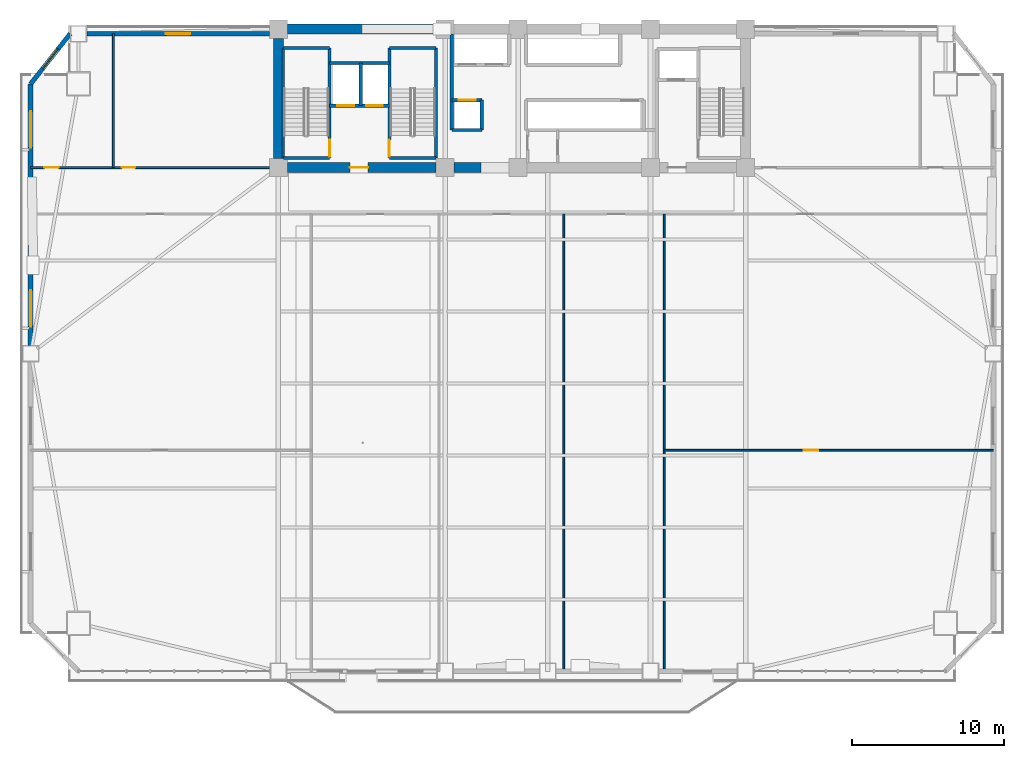
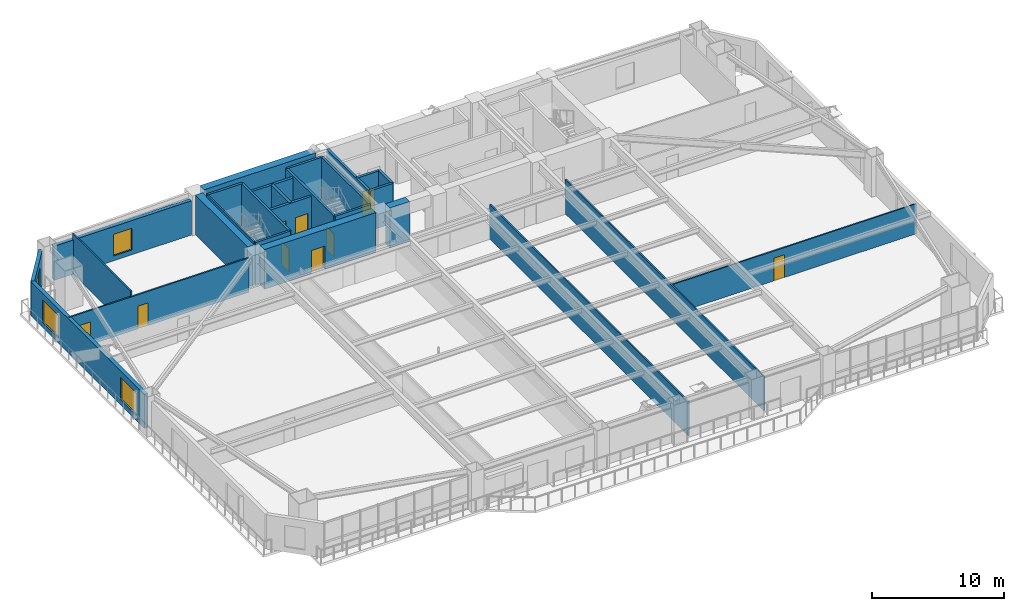
# One storey, part 9 of 17: 27 walls, 9 doors, 4 windows, 13 openings.
"""IFC4 building model written with IfcOpenShell, lengths in metres."""

from ifc_helpers import new_model, si_unit, direction, frame, frame_2d, origin, place, context, subcontext, project, spatial, rectangle, extrude, source, transform, mapped, material, layer, layer_set, type_object, element, fill, save


model = new_model("IFC4")

# Units and contexts
model_context = context("Model", 3, precision=1e-05, world=origin(), true_north=direction((0.0, 1.0)))
body_context = subcontext(model_context, "Body", "Model", "MODEL_VIEW")
ifc_project = project(units=[si_unit("LENGTHUNIT", "METRE"), si_unit("AREAUNIT", "SQUARE_METRE"), si_unit("VOLUMEUNIT", "CUBIC_METRE"), si_unit("PLANEANGLEUNIT", "RADIAN"), si_unit("MASSUNIT", "GRAM", prefix="KILO")], contexts=[model_context])

# Site, building, storey
site_placement = place(None, origin())
site = spatial("IfcSite", under=ifc_project, at=site_placement, CompositionType="ELEMENT")
building_placement = place(site_placement, origin())
building = spatial("IfcBuilding", under=site, at=building_placement, Name="Giltprow Tower", CompositionType="ELEMENT")
storey_placement = place(building_placement, frame((0.0, 0.0, 53.300048828125)))
storey = spatial("IfcBuildingStorey", under=building, at=storey_placement, Name="L13", CompositionType="ELEMENT", Elevation=53.300048828125)

# Wall, opening, window
ifc_material_1 = material(Name="Precast concrete C40", Category="concrete")
ifc_layer_1 = layer(ifc_material_1, 0.300048828125, Name="Precast concrete C40")
ifc_layer_set_1 = layer_set([ifc_layer_1], Name="Precast concrete C40")
wall_type_1 = type_object("IfcWallType", Name="EW-NOTCH-CHAMFER-300", PredefinedType="SOLIDWALL", material=ifc_layer_set_1)
wall_1_placement = place(storey_placement, frame((6.16796875, 46.25, 0.0), z_axis=(0.0, 0.0, 1.0), x_axis=(-0.618784156162, -0.785561053059, 0.0)))
wall_1 = element("IfcWall", 1, at=wall_1_placement, inside=storey, type_object=wall_type_1, Name="L13 Corner Notch Wall NW", PredefinedType="SOLIDWALL", context=body_context, shape_type="SweptSolid", body=[
    extrude(rectangle(XDim=4.198486328125, YDim=0.300048828125, at=frame_2d((2.09912109375, 0.0))), origin(), (0.0, 0.0, 1.0), 3.159912109375),
])
opening_1_placement = place(wall_1_placement, frame((1.299072265625, 0.0, 0.449951171875)))
opening_1 = element("IfcOpeningElement", 2, at=opening_1_placement, cuts=wall_1, Name="Opening WN17", PredefinedType="OPENING", context=body_context, shape_type="SweptSolid", body=[
    extrude(rectangle(XDim=1.60009765625, YDim=2.0, at=frame_2d((0.800048828125, 1.0))), frame((0.0, 0.159912109375, 0.0), z_axis=(0.0, -1.0, 0.0), x_axis=(1.0, 0.0, 0.0)), (0.0, 0.0, 1.0), 0.320068359375),
])
ifc_material_2 = material(Name="Insulated glass", Category="glass")
window_type_1 = type_object("IfcWindowType", Name="WN-COR-1600x2000", PartitioningType="SINGLE_PANEL", PredefinedType="WINDOW", material=ifc_material_2)
shared_shape_1 = source(origin(), body_context, "Body", "SweptSolid", [
    extrude(rectangle(XDim=1.60009765625, YDim=2.0, at=frame_2d((0.800048828125, 1.0))), frame((0.0, 0.030029296875, 0.0), z_axis=(0.0, -1.0, 0.0), x_axis=(1.0, 0.0, 0.0)), (0.0, 0.0, 1.0), 0.06005859375),
])
window_1_placement = place(opening_1_placement, origin())
window_1 = element("IfcWindow", 3, at=window_1_placement, inside=storey, type_object=window_type_1, Name="L13 Corner Notch Window NW", OverallHeight=2.0, OverallWidth=1.60009765625, PartitioningType="SINGLE_PANEL", PredefinedType="WINDOW", context=body_context, shape_type="MappedRepresentation", body=[
    mapped(shared_shape_1, transform((0.0, 0.0, 0.0), x_axis=(1.0, 0.0, 0.0), y_axis=(0.0, 1.0, 0.0), z_axis=(0.0, 0.0, 1.0), scale=1.0)),
])
fill(opening_1, window_1)

# Wall, openings, windows
ifc_layer_2 = layer(ifc_material_1, 0.320068359375, Name="Precast concrete C40")
ifc_layer_set_2 = layer_set([ifc_layer_2], Name="Precast concrete C40")
wall_type_2 = type_object("IfcWallType", Name="EW-TOW-STONE-320", PredefinedType="SOLIDWALL", material=ifc_layer_set_2)
wall_2_placement = place(storey_placement, frame((3.570068359375, 25.777099609375, 0.0), z_axis=(0.0, 0.0, 1.0), x_axis=(0.0, 1.0, 0.0)))
wall_2 = element("IfcWall", 4, at=wall_2_placement, inside=storey, type_object=wall_type_2, Name="L13 W Wing Masonry Wall 2", PredefinedType="SOLIDWALL", context=body_context, shape_type="SweptSolid", body=[
    extrude(rectangle(XDim=17.1748046875, YDim=0.320068359375, at=frame_2d((8.58740234375, 0.0))), origin(), (0.0, 0.0, 1.0), 3.159912109375),
])
opening_2_placement = place(wall_2_placement, frame((1.22509765625, 0.0, 0.449951171875)))
opening_2 = element("IfcOpeningElement", 5, at=opening_2_placement, cuts=wall_2, Name="Opening WN29", PredefinedType="OPENING", context=body_context, shape_type="SweptSolid", body=[
    extrude(rectangle(XDim=2.39990234375, YDim=2.10009765625, at=frame_2d((1.199951171875, 1.050048828125))), frame((0.0, 0.169921875, 0.0), z_axis=(0.0, -1.0, 0.0), x_axis=(1.0, 0.0, 0.0)), (0.0, 0.0, 1.0), 0.340087890625),
])
opening_3_placement = place(wall_2_placement, frame((12.98095703125, 0.0, 0.449951171875)))
opening_3 = element("IfcOpeningElement", 6, at=opening_3_placement, cuts=wall_2, Name="Opening WN29", PredefinedType="OPENING", context=body_context, shape_type="SweptSolid", body=[
    extrude(rectangle(XDim=2.39990234375, YDim=2.10009765625, at=frame_2d((1.199951171875, 1.050048828125))), frame((0.0, 0.169921875, 0.0), z_axis=(0.0, -1.0, 0.0), x_axis=(1.0, 0.0, 0.0)), (0.0, 0.0, 1.0), 0.340087890625),
])
window_type_2 = type_object("IfcWindowType", Name="WN-OFF-2400x2100", PartitioningType="DOUBLE_PANEL_VERTICAL", PredefinedType="WINDOW", material=ifc_material_2)
shared_shape_2 = source(origin(), body_context, "Body", "SweptSolid", [
    extrude(rectangle(XDim=2.39990234375, YDim=2.10009765625, at=frame_2d((1.199951171875, 1.050048828125))), frame((0.0, 0.030029296875, 0.0), z_axis=(0.0, -1.0, 0.0), x_axis=(1.0, 0.0, 0.0)), (0.0, 0.0, 1.0), 0.06005859375),
])
window_2_placement = place(opening_2_placement, origin())
window_2 = element("IfcWindow", 7, at=window_2_placement, inside=storey, type_object=window_type_2, Name="L13 W Wing Window 2-1", OverallHeight=2.10009765625, OverallWidth=2.39990234375, PartitioningType="SINGLE_PANEL", PredefinedType="WINDOW", context=body_context, shape_type="MappedRepresentation", body=[
    mapped(shared_shape_2, transform((0.0, 0.0, 0.0), x_axis=(1.0, 0.0, 0.0), y_axis=(0.0, 1.0, 0.0), z_axis=(0.0, 0.0, 1.0), scale=1.0)),
])
fill(opening_2, window_2)
window_3_placement = place(opening_3_placement, origin())
window_3 = element("IfcWindow", 8, at=window_3_placement, inside=storey, type_object=window_type_2, Name="L13 W Wing Window 2-2", OverallHeight=2.10009765625, OverallWidth=2.39990234375, PartitioningType="SINGLE_PANEL", PredefinedType="WINDOW", context=body_context, shape_type="MappedRepresentation", body=[
    mapped(shared_shape_2, transform((0.0, 0.0, 0.0), x_axis=(1.0, 0.0, 0.0), y_axis=(0.0, 1.0, 0.0), z_axis=(0.0, 0.0, 1.0), scale=1.0)),
])
fill(opening_3, window_3)

# Wall, opening, window
wall_3_placement = place(storey_placement, frame((7.26806640625, 46.25, 0.0), z_axis=(0.0, 0.0, 1.0), x_axis=(1.0, 0.0, 0.0)))
wall_3 = element("IfcWall", 9, at=wall_3_placement, inside=storey, type_object=wall_type_2, Name="L13 North-West Wing Wall", PredefinedType="SOLIDWALL", context=body_context, shape_type="SweptSolid", body=[
    extrude(rectangle(XDim=11.98193359375, YDim=0.320068359375, at=frame_2d((5.990966796875, 0.0))), origin(), (0.0, 0.0, 1.0), 3.159912109375),
])
opening_4_placement = place(wall_3_placement, frame((5.19091796875, 0.0, 0.449951171875)))
opening_4 = element("IfcOpeningElement", 10, at=opening_4_placement, cuts=wall_3, Name="Opening WN17", PredefinedType="OPENING", context=body_context, shape_type="SweptSolid", body=[
    extrude(rectangle(XDim=1.60009765625, YDim=2.0, at=frame_2d((0.800048828125, 1.0))), frame((0.0, 0.169921875, 0.0), z_axis=(0.0, -1.0, 0.0), x_axis=(1.0, 0.0, 0.0)), (0.0, 0.0, 1.0), 0.340087890625),
])
window_4_placement = place(opening_4_placement, origin())
window_4 = element("IfcWindow", 11, at=window_4_placement, inside=storey, type_object=window_type_1, Name="L13 North-West Window", OverallHeight=2.0, OverallWidth=1.60009765625, PartitioningType="SINGLE_PANEL", PredefinedType="WINDOW", context=body_context, shape_type="MappedRepresentation", body=[
    mapped(shared_shape_1, transform((0.0, 0.0, 0.0), x_axis=(1.0, 0.0, 0.0), y_axis=(0.0, 1.0, 0.0), z_axis=(0.0, 0.0, 1.0), scale=1.0)),
])
fill(opening_4, window_4)

# Walls
ifc_material_3 = material(Name="Gypsum stud partition", Category="gypsum")
ifc_layer_3 = layer(ifc_material_3, 0.1201171875, Name="Gypsum stud partition")
ifc_layer_set_3 = layer_set([ifc_layer_3], Name="Gypsum stud partition")
wall_type_3 = type_object("IfcWallType", Name="IW-ROOM-120", PredefinedType="PARTITIONING", material=ifc_layer_set_3)
for number, where, z_axis, x_axis, name in (
    (12, (38.60009765625, 4.35400390625, 0.0), (0.0, 0.0, 1.0), (0.0, 1.0, 0.0), "L13 Office Partition 3"),
    (13, (45.199951171875, 4.35400390625, 0.0), (0.0, 0.0, 1.0), (0.0, 1.0, 0.0), "L13 Office Partition 4"),
):
    element("IfcWall", number, at=place(storey_placement, frame(where, z_axis=z_axis, x_axis=x_axis)), inside=storey, type_object=wall_type_3, Name=name, PredefinedType="PARTITIONING", context=body_context, shape_type="SweptSolid", body=[
        extrude(rectangle(XDim=30.0458984375, YDim=0.1201171875, at=frame_2d((15.02294921875, 0.0))), origin(), (0.0, 0.0, 1.0), 3.1650390625),
    ])

# Wall, opening, door
wall_4_placement = place(storey_placement, frame((45.199951171875, 18.8798828125, 0.0), z_axis=(0.0, 0.0, 1.0), x_axis=(1.0, 0.0, 0.0)))
wall_4 = element("IfcWall", 14, at=wall_4_placement, inside=storey, type_object=wall_type_3, Name="L13 Office Mid Wall 5", PredefinedType="PARTITIONING", context=body_context, shape_type="SweptSolid", body=[
    extrude(rectangle(XDim=21.630126953125, YDim=0.1201171875, at=frame_2d((10.81494140625, 0.0))), origin(), (0.0, 0.0, 1.0), 2.764892578125),
])
opening_5_placement = place(wall_4_placement, frame((9.1630859375, 0.0, 0.0)))
opening_5 = element("IfcOpeningElement", 15, at=opening_5_placement, cuts=wall_4, Name="Opening ID11", PredefinedType="OPENING", context=body_context, shape_type="SweptSolid", body=[
    extrude(rectangle(XDim=0.949951171875, YDim=2.10009765625, at=frame_2d((0.47509765625, 1.050048828125))), frame((0.0, 0.070068359375, 0.0), z_axis=(0.0, -1.0, 0.0), x_axis=(1.0, 0.0, 0.0)), (0.0, 0.0, 1.0), 0.14013671875),
])
ifc_material_4 = material(Name="Engineered timber", Category="wood")
door_type_1 = type_object("IfcDoorType", Name="DR-ROOM-950", OperationType="SINGLE_SWING_RIGHT", PredefinedType="DOOR", material=ifc_material_4)
shared_shape_3 = source(origin(), body_context, "Body", "SweptSolid", [
    extrude(rectangle(XDim=0.949951171875, YDim=2.10009765625, at=frame_2d((0.47509765625, 1.050048828125))), frame((0.0, 0.02490234375, 0.0), z_axis=(0.0, -1.0, 0.0), x_axis=(1.0, 0.0, 0.0)), (0.0, 0.0, 1.0), 0.050048828125),
])
door_1_placement = place(opening_5_placement, origin())
door_1 = element("IfcDoor", 16, at=door_1_placement, inside=storey, type_object=door_type_1, Name="L13 Artisan Studio Shop 5 Inner Door", OperationType="SINGLE_SWING_LEFT", OverallHeight=2.10009765625, OverallWidth=0.949951171875, PredefinedType="DOOR", context=body_context, shape_type="MappedRepresentation", body=[
    mapped(shared_shape_3, transform((0.0, 0.0, 0.0), x_axis=(1.0, 0.0, 0.0), y_axis=(0.0, 1.0, 0.0), z_axis=(0.0, 0.0, 1.0), scale=1.0)),
])
fill(opening_5, door_1)

# Wall, openings, doors
ifc_material_5 = material(Name="Concrete C40", Category="concrete")
ifc_layer_4 = layer(ifc_material_5, 0.219970703125, Name="Concrete C40")
ifc_layer_set_4 = layer_set([ifc_layer_4], Name="Concrete C40")
wall_type_4 = type_object("IfcWallType", Name="IW-SHAFT-220", PredefinedType="SOLIDWALL", material=ifc_layer_set_4)
wall_5_placement = place(storey_placement, frame((23.219970703125, 41.52001953125, 0.0), z_axis=(0.0, 0.0, 1.0), x_axis=(1.0, 0.0, 0.0)))
wall_5 = element("IfcWall", 17, at=wall_5_placement, inside=storey, type_object=wall_type_4, Name="L13 FFL1 and Service Lift Front Wall", PredefinedType="SOLIDWALL", context=body_context, shape_type="SweptSolid", body=[
    extrude(rectangle(XDim=3.919921875, YDim=0.219970703125, at=frame_2d((1.9599609375, 0.0))), origin(), (0.0, 0.0, 1.0), 3.679931640625),
])
opening_6_placement = place(wall_5_placement, frame((0.5, 0.0, 0.0)))
opening_6 = element("IfcOpeningElement", 18, at=opening_6_placement, cuts=wall_5, Name="Opening LD-11", PredefinedType="OPENING", context=body_context, shape_type="SweptSolid", body=[
    extrude(rectangle(XDim=1.10009765625, YDim=2.199951171875, at=frame_2d((0.550048828125, 1.10009765625))), frame((0.0, 0.119873046875, 0.0), z_axis=(0.0, -1.0, 0.0), x_axis=(1.0, 0.0, 0.0)), (0.0, 0.0, 1.0), 0.239990234375),
])
opening_7_placement = place(wall_5_placement, frame((2.39990234375, 0.0, 0.0)))
opening_7 = element("IfcOpeningElement", 19, at=opening_7_placement, cuts=wall_5, Name="Opening LD-11", PredefinedType="OPENING", context=body_context, shape_type="SweptSolid", body=[
    extrude(rectangle(XDim=1.10009765625, YDim=2.199951171875, at=frame_2d((0.550048828125, 1.10009765625))), frame((0.0, 0.119873046875, 0.0), z_axis=(0.0, -1.0, 0.0), x_axis=(1.0, 0.0, 0.0)), (0.0, 0.0, 1.0), 0.239990234375),
])
ifc_material_6 = material(Name="Stainless steel", Category="steel")
door_type_2 = type_object("IfcDoorType", Name="DR-LIFT-LD1100", OperationType="SLIDING_TO_LEFT", PredefinedType="DOOR", material=ifc_material_6)
shared_shape_4 = source(origin(), body_context, "Body", "SweptSolid", [
    extrude(rectangle(XDim=1.10009765625, YDim=2.199951171875, at=frame_2d((0.550048828125, 1.10009765625))), frame((0.0, 0.02490234375, 0.0), z_axis=(0.0, -1.0, 0.0), x_axis=(1.0, 0.0, 0.0)), (0.0, 0.0, 1.0), 0.050048828125),
])
door_2_placement = place(opening_6_placement, origin())
door_2 = element("IfcDoor", 20, at=door_2_placement, inside=storey, type_object=door_type_2, Name="L13 FFL1 Landing Door", OperationType="SLIDING_TO_LEFT", OverallHeight=2.199951171875, OverallWidth=1.10009765625, PredefinedType="DOOR", context=body_context, shape_type="MappedRepresentation", body=[
    mapped(shared_shape_4, transform((0.0, 0.0, 0.0), x_axis=(1.0, 0.0, 0.0), y_axis=(0.0, 1.0, 0.0), z_axis=(0.0, 0.0, 1.0), scale=1.0)),
])
fill(opening_6, door_2)
door_3_placement = place(opening_7_placement, origin())
door_3 = element("IfcDoor", 21, at=door_3_placement, inside=storey, type_object=door_type_2, Name="L13 SVL1 Landing Door", OperationType="SLIDING_TO_LEFT", OverallHeight=2.199951171875, OverallWidth=1.10009765625, PredefinedType="DOOR", context=body_context, shape_type="MappedRepresentation", body=[
    mapped(shared_shape_4, transform((0.0, 0.0, 0.0), x_axis=(1.0, 0.0, 0.0), y_axis=(0.0, 1.0, 0.0), z_axis=(0.0, 0.0, 1.0), scale=1.0)),
])
fill(opening_7, door_3)

# Walls
wall_6_placement = place(storey_placement, frame((25.260009765625, 41.52001953125, 0.0), z_axis=(0.0, 0.0, 1.0), x_axis=(0.0, 1.0, 0.0)))
element("IfcWall", 22, at=wall_6_placement, inside=storey, type_object=wall_type_4, Name="L13 FFL1-SVL1 Shaft Divider", PredefinedType="SOLIDWALL", context=body_context, shape_type="SweptSolid", body=[
    extrude(rectangle(XDim=2.800048828125, YDim=0.219970703125, at=frame_2d((1.39990234375, 0.0))), origin(), (0.0, 0.0, 1.0), 3.679931640625),
])
wall_7_placement = place(storey_placement, frame((23.219970703125, 44.320068359375, 0.0), z_axis=(0.0, 0.0, 1.0), x_axis=(1.0, 0.0, 0.0)))
element("IfcWall", 23, at=wall_7_placement, inside=storey, type_object=wall_type_4, Name="L13 FFL1-SVL1 Back Shaft Wall", PredefinedType="SOLIDWALL", context=body_context, shape_type="SweptSolid", body=[
    extrude(rectangle(XDim=3.919921875, YDim=0.219970703125, at=frame_2d((1.9599609375, 0.0))), origin(), (0.0, 0.0, 1.0), 3.679931640625),
])

# Wall, opening, door
wall_8_placement = place(storey_placement, frame((31.25, 41.8798828125, 0.0), z_axis=(0.0, 0.0, 1.0), x_axis=(1.0, 0.0, 0.0)))
wall_8 = element("IfcWall", 24, at=wall_8_placement, inside=storey, type_object=wall_type_4, Name="L13 South West Lift Shaft Front Wall", PredefinedType="SOLIDWALL", context=body_context, shape_type="SweptSolid", body=[
    extrude(rectangle(XDim=1.969970703125, YDim=0.219970703125, at=frame_2d((0.98486328125, 0.0))), origin(), (0.0, 0.0, 1.0), 3.679931640625),
])
opening_8_placement = place(wall_8_placement, frame((0.4599609375, 0.0, 0.0)))
opening_8 = element("IfcOpeningElement", 25, at=opening_8_placement, cuts=wall_8, Name="Opening LD-11", PredefinedType="OPENING", context=body_context, shape_type="SweptSolid", body=[
    extrude(rectangle(XDim=1.10009765625, YDim=2.199951171875, at=frame_2d((0.550048828125, 1.10009765625))), frame((0.0, 0.119873046875, 0.0), z_axis=(0.0, -1.0, 0.0), x_axis=(1.0, 0.0, 0.0)), (0.0, 0.0, 1.0), 0.239990234375),
])
door_4_placement = place(opening_8_placement, origin())
door_4 = element("IfcDoor", 26, at=door_4_placement, inside=storey, type_object=door_type_2, Name="L13 PL-L3 Landing Door", OperationType="SLIDING_TO_LEFT", OverallHeight=2.199951171875, OverallWidth=1.10009765625, PredefinedType="DOOR", context=body_context, shape_type="MappedRepresentation", body=[
    mapped(shared_shape_4, transform((0.0, 0.0, 0.0), x_axis=(1.0, 0.0, 0.0), y_axis=(0.0, 1.0, 0.0), z_axis=(0.0, 0.0, 1.0), scale=1.0)),
])
fill(opening_8, door_4)

# Walls
wall_9_placement = place(storey_placement, frame((31.25, 39.919921875, 0.0), z_axis=(0.0, 0.0, 1.0), x_axis=(1.0, 0.0, 0.0)))
element("IfcWall", 27, at=wall_9_placement, inside=storey, type_object=wall_type_4, Name="L13 Low-Rise South Lift Back Wall", PredefinedType="SOLIDWALL", context=body_context, shape_type="SweptSolid", body=[
    extrude(rectangle(XDim=1.969970703125, YDim=0.219970703125, at=frame_2d((0.98486328125, 0.0))), origin(), (0.0, 0.0, 1.0), 3.679931640625),
])
wall_10_placement = place(storey_placement, frame((33.219970703125, 39.919921875, 0.0), z_axis=(0.0, 0.0, 1.0), x_axis=(0.0, 1.0, 0.0)))
element("IfcWall", 28, at=wall_10_placement, inside=storey, type_object=wall_type_4, Name="L13 Low-Rise South Lift East Closure", PredefinedType="SOLIDWALL", context=body_context, shape_type="SweptSolid", body=[
    extrude(rectangle(XDim=1.9599609375, YDim=0.219970703125, at=frame_2d((0.97998046875, 0.0))), origin(), (0.0, 0.0, 1.0), 3.679931640625),
])
wall_11_placement = place(storey_placement, frame((31.25, 39.919921875, 0.0), z_axis=(0.0, 0.0, 1.0), x_axis=(0.0, 1.0, 0.0)))
element("IfcWall", 29, at=wall_11_placement, inside=storey, type_object=wall_type_4, Name="L13 Lift Bank West Closure", PredefinedType="SOLIDWALL", context=body_context, shape_type="SweptSolid", body=[
    extrude(rectangle(XDim=6.3251953125, YDim=0.219970703125, at=frame_2d((3.16259765625, 0.0))), origin(), (0.0, 0.0, 1.0), 3.679931640625),
])
ifc_material_7 = material(Name="Concrete C45", Category="concrete")
ifc_layer_5 = layer(ifc_material_7, 0.139892578125, Name="Concrete C45")
ifc_layer_set_5 = layer_set([ifc_layer_5], Name="Concrete C45")
wall_type_5 = type_object("IfcWallType", Name="IW-STAIR-140", PredefinedType="SOLIDWALL", material=ifc_layer_set_5)
wall_12_placement = place(storey_placement, frame((20.169921875, 38.070068359375, 0.0), z_axis=(0.0, 0.0, 1.0), x_axis=(0.0, 1.0, 0.0)))
element("IfcWall", 30, at=wall_12_placement, inside=storey, type_object=wall_type_5, Name="L13 Stair ST-1 West Bearing Wall", PredefinedType="SOLIDWALL", context=body_context, shape_type="SweptSolid", body=[
    extrude(rectangle(XDim=7.25, YDim=0.139892578125, at=frame_2d((3.625, 0.0))), origin(), (0.0, 0.0, 1.0), 3.89990234375),
])

# Wall, opening, door
ifc_layer_6 = layer(ifc_material_5, 0.199951171875, Name="Concrete C40")
ifc_layer_set_6 = layer_set([ifc_layer_6], Name="Concrete C40")
wall_type_6 = type_object("IfcWallType", Name="IW-STAIR-200", PredefinedType="SOLIDWALL", material=ifc_layer_set_6)
wall_13_placement = place(storey_placement, frame((23.219970703125, 38.070068359375, 0.0), z_axis=(0.0, 0.0, 1.0), x_axis=(0.0, 1.0, 0.0)))
wall_13 = element("IfcWall", 31, at=wall_13_placement, inside=storey, type_object=wall_type_6, Name="L13 Stair ST-1 East Bearing Wall", PredefinedType="SOLIDWALL", context=body_context, shape_type="SweptSolid", body=[
    extrude(rectangle(XDim=7.25, YDim=0.199951171875, at=frame_2d((3.625, 0.0))), origin(), (0.0, 0.0, 1.0), 3.89990234375),
])
opening_9_placement = place(wall_13_placement, frame((0.110107421875, 0.0, 0.0)))
opening_9 = element("IfcOpeningElement", 32, at=opening_9_placement, cuts=wall_13, Name="Opening ID33", PredefinedType="OPENING", context=body_context, shape_type="SweptSolid", body=[
    extrude(rectangle(XDim=1.10009765625, YDim=2.14990234375, at=frame_2d((0.550048828125, 1.074951171875))), frame((0.0, 0.10986328125, 0.0), z_axis=(0.0, -1.0, 0.0), x_axis=(1.0, 0.0, 0.0)), (0.0, 0.0, 1.0), 0.219970703125),
])
ifc_material_8 = material(Name="Steel fire leaf", Category="steel")
door_type_3 = type_object("IfcDoorType", Name="DR-STAIR-1100", OperationType="SINGLE_SWING_LEFT", PredefinedType="DOOR", material=ifc_material_8)
shared_shape_5 = source(origin(), body_context, "Body", "SweptSolid", [
    extrude(rectangle(XDim=1.10009765625, YDim=2.14990234375, at=frame_2d((0.550048828125, 1.074951171875))), frame((0.0, 0.02490234375, 0.0), z_axis=(0.0, -1.0, 0.0), x_axis=(1.0, 0.0, 0.0)), (0.0, 0.0, 1.0), 0.050048828125),
])
door_5_placement = place(opening_9_placement, origin())
door_5 = element("IfcDoor", 33, at=door_5_placement, inside=storey, type_object=door_type_3, Name="L13 Stair ST-1 Fire Door", OperationType="SINGLE_SWING_RIGHT", OverallHeight=2.14990234375, OverallWidth=1.10009765625, PredefinedType="DOOR", context=body_context, shape_type="MappedRepresentation", body=[
    mapped(shared_shape_5, transform((0.0, 0.0, 0.0), x_axis=(1.0, 0.0, 0.0), y_axis=(0.0, 1.0, 0.0), z_axis=(0.0, 0.0, 1.0), scale=1.0)),
])
fill(opening_9, door_5)

# Walls
for number, where, z_axis, x_axis, name in (
    (34, (20.169921875, 45.320068359375, 0.0), (0.0, 0.0, 1.0), (1.0, 0.0, 0.0), "L13 Stair ST-1 North Bearing Wall"),
    (35, (20.169921875, 38.070068359375, 0.0), (0.0, 0.0, 1.0), (1.0, 0.0, 0.0), "L13 Stair ST-1 South Bearing Wall"),
):
    element("IfcWall", number, at=place(storey_placement, frame(where, z_axis=z_axis, x_axis=x_axis)), inside=storey, type_object=wall_type_6, Name=name, PredefinedType="SOLIDWALL", context=body_context, shape_type="SweptSolid", body=[
        extrude(rectangle(XDim=3.050048828125, YDim=0.199951171875, at=frame_2d((1.52490234375, 0.0))), origin(), (0.0, 0.0, 1.0), 3.89990234375),
    ])

# Wall, opening, door
wall_14_placement = place(storey_placement, frame((27.139892578125, 38.070068359375, 0.0), z_axis=(0.0, 0.0, 1.0), x_axis=(0.0, 1.0, 0.0)))
wall_14 = element("IfcWall", 36, at=wall_14_placement, inside=storey, type_object=wall_type_6, Name="L13 Stair ST-2 West Bearing Wall", PredefinedType="SOLIDWALL", context=body_context, shape_type="SweptSolid", body=[
    extrude(rectangle(XDim=7.25, YDim=0.199951171875, at=frame_2d((3.625, 0.0))), origin(), (0.0, 0.0, 1.0), 3.89990234375),
])
opening_10_placement = place(wall_14_placement, frame((0.110107421875, 0.0, 0.0)))
opening_10 = element("IfcOpeningElement", 37, at=opening_10_placement, cuts=wall_14, Name="Opening ID33", PredefinedType="OPENING", context=body_context, shape_type="SweptSolid", body=[
    extrude(rectangle(XDim=1.10009765625, YDim=2.14990234375, at=frame_2d((0.550048828125, 1.074951171875))), frame((0.0, 0.10986328125, 0.0), z_axis=(0.0, -1.0, 0.0), x_axis=(1.0, 0.0, 0.0)), (0.0, 0.0, 1.0), 0.219970703125),
])
door_6_placement = place(opening_10_placement, origin())
door_6 = element("IfcDoor", 38, at=door_6_placement, inside=storey, type_object=door_type_3, Name="L13 Stair ST-2 Fire Door", OperationType="SINGLE_SWING_LEFT", OverallHeight=2.14990234375, OverallWidth=1.10009765625, PredefinedType="DOOR", context=body_context, shape_type="MappedRepresentation", body=[
    mapped(shared_shape_5, transform((0.0, 0.0, 0.0), x_axis=(1.0, 0.0, 0.0), y_axis=(0.0, 1.0, 0.0), z_axis=(0.0, 0.0, 1.0), scale=1.0)),
])
fill(opening_10, door_6)

# Walls
wall_15_placement = place(storey_placement, frame((30.219970703125, 38.070068359375, 0.0), z_axis=(0.0, 0.0, 1.0), x_axis=(0.0, 1.0, 0.0)))
element("IfcWall", 39, at=wall_15_placement, inside=storey, type_object=wall_type_6, Name="L13 Stair ST-2 East Bearing Wall", PredefinedType="SOLIDWALL", context=body_context, shape_type="SweptSolid", body=[
    extrude(rectangle(XDim=7.25, YDim=0.199951171875, at=frame_2d((3.625, 0.0))), origin(), (0.0, 0.0, 1.0), 3.89990234375),
])
for number, where, z_axis, x_axis, name in (
    (40, (27.139892578125, 45.320068359375, 0.0), (0.0, 0.0, 1.0), (1.0, 0.0, 0.0), "L13 Stair ST-2 North Bearing Wall"),
    (41, (27.139892578125, 38.070068359375, 0.0), (0.0, 0.0, 1.0), (1.0, 0.0, 0.0), "L13 Stair ST-2 South Bearing Wall"),
):
    element("IfcWall", number, at=place(storey_placement, frame(where, z_axis=z_axis, x_axis=x_axis)), inside=storey, type_object=wall_type_6, Name=name, PredefinedType="SOLIDWALL", context=body_context, shape_type="SweptSolid", body=[
        extrude(rectangle(XDim=3.080078125, YDim=0.199951171875, at=frame_2d((1.5400390625, 0.0))), origin(), (0.0, 0.0, 1.0), 3.89990234375),
    ])

# Wall, openings, doors
ifc_material_9 = material(Name="Concrete C30", Category="concrete")
ifc_layer_7 = layer(ifc_material_9, 0.1298828125, Name="Concrete C30")
ifc_layer_set_7 = layer_set([ifc_layer_7], Name="Concrete C30")
wall_type_7 = type_object("IfcWallType", Name="IW-WET-130", PredefinedType="PARTITIONING", material=ifc_layer_set_7)
wall_16_placement = place(storey_placement, frame((3.570068359375, 37.449951171875, 0.0), z_axis=(0.0, 0.0, 1.0), x_axis=(1.0, 0.0, 0.0)))
wall_16 = element("IfcWall", 42, at=wall_16_placement, inside=storey, type_object=wall_type_7, Name="L13 NW Wing South Wall", PredefinedType="PARTITIONING", context=body_context, shape_type="SweptSolid", body=[
    extrude(rectangle(XDim=15.679931640625, YDim=0.1298828125, at=frame_2d((7.83984375, 0.0))), origin(), (0.0, 0.0, 1.0), 3.1650390625),
])
opening_11_placement = place(wall_16_placement, frame((0.89990234375, 0.0, 0.0)))
opening_11 = element("IfcOpeningElement", 43, at=opening_11_placement, cuts=wall_16, Name="Opening ID11", PredefinedType="OPENING", context=body_context, shape_type="SweptSolid", body=[
    extrude(rectangle(XDim=0.949951171875, YDim=2.10009765625, at=frame_2d((0.47509765625, 1.050048828125))), frame((0.0, 0.074951171875, 0.0), z_axis=(0.0, -1.0, 0.0), x_axis=(1.0, 0.0, 0.0)), (0.0, 0.0, 1.0), 0.14990234375),
])
opening_12_placement = place(wall_16_placement, frame((5.97900390625, 0.0, 0.0)))
opening_12 = element("IfcOpeningElement", 44, at=opening_12_placement, cuts=wall_16, Name="Opening ID15", PredefinedType="OPENING", context=body_context, shape_type="SweptSolid", body=[
    extrude(rectangle(XDim=0.89990234375, YDim=2.10009765625, at=frame_2d((0.449951171875, 1.050048828125))), frame((0.0, 0.074951171875, 0.0), z_axis=(0.0, -1.0, 0.0), x_axis=(1.0, 0.0, 0.0)), (0.0, 0.0, 1.0), 0.14990234375),
])
door_type_4 = type_object("IfcDoorType", Name="DR-WC-900", OperationType="SINGLE_SWING_LEFT", PredefinedType="DOOR", material=ifc_material_4)
shared_shape_6 = source(origin(), body_context, "Body", "SweptSolid", [
    extrude(rectangle(XDim=0.89990234375, YDim=2.10009765625, at=frame_2d((0.449951171875, 1.050048828125))), frame((0.0, 0.02490234375, 0.0), z_axis=(0.0, -1.0, 0.0), x_axis=(1.0, 0.0, 0.0)), (0.0, 0.0, 1.0), 0.050048828125),
])
door_7_placement = place(opening_12_placement, origin())
door_7 = element("IfcDoor", 45, at=door_7_placement, inside=storey, type_object=door_type_4, Name="L13 NW Washroom Door", OperationType="SINGLE_SWING_LEFT", OverallHeight=2.10009765625, OverallWidth=0.89990234375, PredefinedType="DOOR", context=body_context, shape_type="MappedRepresentation", body=[
    mapped(shared_shape_6, transform((0.0, 0.0, 0.0), x_axis=(1.0, 0.0, 0.0), y_axis=(0.0, 1.0, 0.0), z_axis=(0.0, 0.0, 1.0), scale=1.0)),
])
fill(opening_12, door_7)
door_8_placement = place(opening_11_placement, origin())
door_8 = element("IfcDoor", 46, at=door_8_placement, inside=storey, type_object=door_type_1, Name="L13 West Tenant Office West Door", OperationType="SINGLE_SWING_RIGHT", OverallHeight=2.10009765625, OverallWidth=0.949951171875, PredefinedType="DOOR", context=body_context, shape_type="MappedRepresentation", body=[
    mapped(shared_shape_3, transform((0.0, 0.0, 0.0), x_axis=(1.0, 0.0, 0.0), y_axis=(0.0, 1.0, 0.0), z_axis=(0.0, 0.0, 1.0), scale=1.0)),
])
fill(opening_11, door_8)

# Walls
wall_17_placement = place(storey_placement, frame((8.9990234375, 37.449951171875, 0.0), z_axis=(0.0, 0.0, 1.0), x_axis=(0.0, 1.0, 0.0)))
element("IfcWall", 47, at=wall_17_placement, inside=storey, type_object=wall_type_7, Name="L13 NW Wing Divider", PredefinedType="PARTITIONING", context=body_context, shape_type="SweptSolid", body=[
    extrude(rectangle(XDim=8.800048828125, YDim=0.1298828125, at=frame_2d((4.39990234375, 0.0))), origin(), (0.0, 0.0, 1.0), 3.679931640625),
])
ifc_material_10 = material(Name="Concrete C60", Category="concrete")
ifc_layer_8 = layer(ifc_material_10, 0.64990234375, Name="Concrete C60")
ifc_layer_set_8 = layer_set([ifc_layer_8], Name="Concrete C60")
wall_type_8 = type_object("IfcWallType", Name="SW-EXT-650-C60", PredefinedType="SHEAR", material=ifc_layer_set_8)
wall_18_placement = place(storey_placement, frame((20.449951171875, 46.550048828125, 0.0), z_axis=(0.0, 0.0, 1.0), x_axis=(1.0, 0.0, 0.0)))
element("IfcWall", 48, at=wall_18_placement, inside=storey, type_object=wall_type_8, Name="L13 North Rear Core Shear Wall 1", PredefinedType="SHEAR", context=body_context, shape_type="SweptSolid", body=[
    extrude(rectangle(XDim=9.75, YDim=0.64990234375, at=frame_2d((4.875, 0.0))), origin(), (0.0, 0.0, 1.0), 3.679931640625),
])

# Wall, opening, door
ifc_layer_9 = layer(ifc_material_10, 0.64990234375, Name="Concrete C60")
ifc_layer_set_9 = layer_set([ifc_layer_9], Name="Concrete C60")
wall_type_9 = type_object("IfcWallType", Name="SW-INT-650-C60", PredefinedType="SHEAR", material=ifc_layer_set_9)
wall_19_placement = place(storey_placement, frame((20.449951171875, 37.449951171875, 0.0), z_axis=(0.0, 0.0, 1.0), x_axis=(1.0, 0.0, 0.0)))
wall_19 = element("IfcWall", 49, at=wall_19_placement, inside=storey, type_object=wall_type_9, Name="L13 South Rear Core Shear Wall West", PredefinedType="SHEAR", context=body_context, shape_type="SweptSolid", body=[
    extrude(rectangle(XDim=9.75, YDim=0.64990234375, at=frame_2d((4.875, 0.0))), origin(), (0.0, 0.0, 1.0), 3.679931640625),
])
opening_13_placement = place(wall_19_placement, frame((4.10009765625, 0.0, 0.0)))
opening_13 = element("IfcOpeningElement", 50, at=opening_13_placement, cuts=wall_19, Name="Opening ID19", PredefinedType="OPENING", context=body_context, shape_type="SweptSolid", body=[
    extrude(rectangle(XDim=1.199951171875, YDim=2.14990234375, at=frame_2d((0.60009765625, 1.074951171875))), frame((0.0, 0.3349609375, 0.0), z_axis=(0.0, -1.0, 0.0), x_axis=(1.0, 0.0, 0.0)), (0.0, 0.0, 1.0), 0.669921875),
])
door_type_5 = type_object("IfcDoorType", Name="DR-FFLOBBY-1200", OperationType="SINGLE_SWING_RIGHT", PredefinedType="DOOR", material=ifc_material_8)
shared_shape_7 = source(origin(), body_context, "Body", "SweptSolid", [
    extrude(rectangle(XDim=1.199951171875, YDim=2.14990234375, at=frame_2d((0.60009765625, 1.074951171875))), frame((0.0, 0.02490234375, 0.0), z_axis=(0.0, -1.0, 0.0), x_axis=(1.0, 0.0, 0.0)), (0.0, 0.0, 1.0), 0.050048828125),
])
door_9_placement = place(opening_13_placement, origin())
door_9 = element("IfcDoor", 51, at=door_9_placement, inside=storey, type_object=door_type_5, Name="L13 West Firefighting Lobby Entry Door", OperationType="SINGLE_SWING_LEFT", OverallHeight=2.14990234375, OverallWidth=1.199951171875, PredefinedType="DOOR", context=body_context, shape_type="MappedRepresentation", body=[
    mapped(shared_shape_7, transform((0.0, 0.0, 0.0), x_axis=(1.0, 0.0, 0.0), y_axis=(0.0, 1.0, 0.0), z_axis=(0.0, 0.0, 1.0), scale=1.0)),
])
fill(opening_13, door_9)

# Walls
wall_20_placement = place(storey_placement, frame((31.39990234375, 37.449951171875, 0.0), z_axis=(0.0, 0.0, 1.0), x_axis=(1.0, 0.0, 0.0)))
element("IfcWall", 52, at=wall_20_placement, inside=storey, type_object=wall_type_9, Name="L13 South Rear Core Shear Wall Mid-West", PredefinedType="SHEAR", context=body_context, shape_type="SweptSolid", body=[
    extrude(rectangle(XDim=1.75, YDim=0.64990234375, at=frame_2d((0.875, 0.0))), origin(), (0.0, 0.0, 1.0), 3.679931640625),
])
wall_21_placement = place(storey_placement, frame((19.85009765625, 38.050048828125, 0.0), z_axis=(0.0, 0.0, 1.0), x_axis=(0.0, 1.0, 0.0)))
element("IfcWall", 53, at=wall_21_placement, inside=storey, type_object=wall_type_9, Name="L13 W Rear Core Shear Wall", PredefinedType="SHEAR", context=body_context, shape_type="SweptSolid", body=[
    extrude(rectangle(XDim=7.89990234375, YDim=0.64990234375, at=frame_2d((3.949951171875, 0.0))), origin(), (0.0, 0.0, 1.0), 3.679931640625),
])

save(model, "model.ifc")
